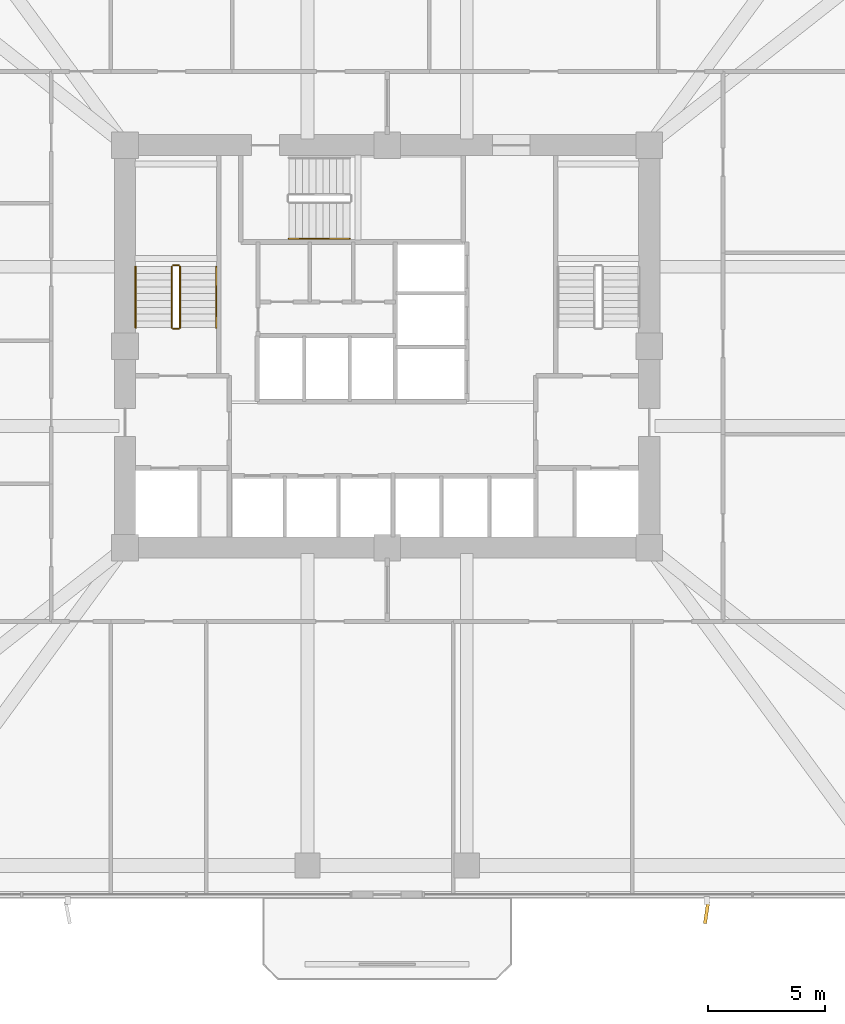
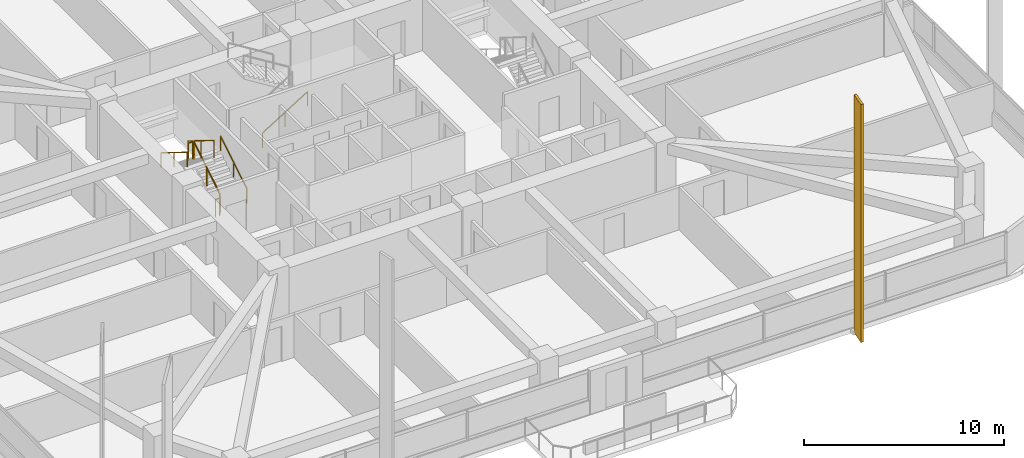
# One storey, part 14 of 17: 7 railings, 1 shading device.
"""IFC4 building model written with IfcOpenShell, lengths in metres."""

from ifc_helpers import new_model, si_unit, derived_unit, direction, frame, origin, origin_2d, place, context, subcontext, project, spatial, rectangle, extrude, material, type_object, element, save


model = new_model("IFC4")

# Units and contexts
model_context = context("Model", 3, precision=1e-05, world=origin(), true_north=direction((0.0, 1.0)))
body_context = subcontext(model_context, "Body", "Model", "MODEL_VIEW")
ifc_project = project(units=[si_unit("LENGTHUNIT", "METRE"), si_unit("AREAUNIT", "SQUARE_METRE"), si_unit("VOLUMEUNIT", "CUBIC_METRE"), si_unit("PLANEANGLEUNIT", "RADIAN"), si_unit("MASSUNIT", "GRAM", prefix="KILO"), derived_unit("THERMALTRANSMITTANCEUNIT", [(si_unit("POWERUNIT", "WATT"), 1), (si_unit("LENGTHUNIT", "METRE"), -2), (si_unit("THERMODYNAMICTEMPERATUREUNIT", "KELVIN"), -1)])], contexts=[model_context])

# Site, building, storey
site_placement = place(None, origin())
site = spatial("IfcSite", under=ifc_project, at=site_placement, CompositionType="ELEMENT")
building_placement = place(site_placement, origin())
building = spatial("IfcBuilding", under=site, at=building_placement, Name="Koralith Skygarden Medical Center", CompositionType="ELEMENT")
storey_placement = place(building_placement, frame((0.0, 0.0, 52.739990234375)))
storey = spatial("IfcBuildingStorey", under=building, at=storey_placement, Name="L13", CompositionType="ELEMENT", Elevation=52.739990234375)

# Shading device
ifc_material_1 = material(Name="Aluminium 6063-T6", Category="aluminium")
shading_device_type = type_object("IfcShadingDeviceType", Name="Limestone-Clad Solar Storm Fin 950", PredefinedType="USERDEFINED", material=ifc_material_1)
shading_device_placement = place(storey_placement, frame((50.64990234375, 1.705078125, -0.2001953125), z_axis=(0.0, 0.0, 1.0), x_axis=(-0.14855161751, -0.988904655129, 0.0)))
element("IfcShadingDevice", 1, at=shading_device_placement, inside=storey, type_object=shading_device_type, Name="L13 S Harmonic Solar Storm Fin 2", ObjectType="SOLAR FIN", PredefinedType="USERDEFINED", context=body_context, shape_type="SweptSolid", body=[
    extrude(rectangle(XDim=0.949951171875, YDim=0.139892578125, at=origin_2d()), origin(), (0.0, 0.0, 1.0), 14.550048828125),
])

# Railings
ifc_material_2 = material(Name="Steel ASTM A500 Grade C", Category="steel")
railing_type_1 = type_object("IfcRailingType", Name="Stair Flight Tubular Handrail 920", PredefinedType="HANDRAIL", material=ifc_material_2)
railing_1_placement = place(storey_placement, frame((29.699951171875, 26.699951171875, 0.179931640625)))
element("IfcRailing", 2, at=railing_1_placement, inside=storey, type_object=railing_type_1, Name="L13 ST1 stair handrail 1", PredefinedType="HANDRAIL", context=body_context, shape_type="SweptSolid", body=[
    extrude(rectangle(XDim=0.050048828125, YDim=0.050048828125, at=origin_2d()), frame((0.0, 0.001708984375, 0.89599609375), z_axis=(0.0, 0.849632798774, 0.527374731332), x_axis=(-1.0, 0.0, 0.0)), (0.0, 0.0, 1.0), 3.068115234375),
    extrude(rectangle(XDim=0.0419921875, YDim=0.0419921875, at=origin_2d()), origin(), (0.0, 0.0, 1.0), 0.867919921875),
    extrude(rectangle(XDim=0.0419921875, YDim=0.0419921875, at=origin_2d()), frame((0.0, 1.30517578125, 0.81005859375)), (0.0, 0.0, 1.0), 0.867919921875),
    extrude(rectangle(XDim=0.0419921875, YDim=0.0419921875, at=origin_2d()), frame((0.0, 2.610107421875, 1.6201171875)), (0.0, 0.0, 1.0), 0.867919921875),
])
railing_2_placement = place(storey_placement, frame((26.25, 29.31005859375, 1.97998046875)))
element("IfcRailing", 3, at=railing_2_placement, inside=storey, type_object=railing_type_1, Name="L13 ST1 stair handrail 2", PredefinedType="HANDRAIL", context=body_context, shape_type="SweptSolid", body=[
    extrude(rectangle(XDim=0.050048828125, YDim=0.050048828125, at=origin_2d()), frame((0.0, -0.001708984375, 0.89599609375), z_axis=(0.0, -0.849632798774, 0.527374731332), x_axis=(1.0, 0.0, 0.0)), (0.0, 0.0, 1.0), 3.068115234375),
    extrude(rectangle(XDim=0.0419921875, YDim=0.0419921875, at=origin_2d()), origin(), (0.0, 0.0, 1.0), 0.867919921875),
    extrude(rectangle(XDim=0.0419921875, YDim=0.0419921875, at=origin_2d()), frame((0.0, -1.30517578125, 0.81005859375)), (0.0, 0.0, 1.0), 0.867919921875),
    extrude(rectangle(XDim=0.0419921875, YDim=0.0419921875, at=origin_2d()), frame((0.0, -2.610107421875, 1.6201171875)), (0.0, 0.0, 1.0), 0.867919921875),
])
railing_3_placement = place(storey_placement, frame((32.800048828125, 30.5, 0.179931640625)))
element("IfcRailing", 4, at=railing_3_placement, inside=storey, type_object=railing_type_1, Name="L13 ST3 stair handrail 1", PredefinedType="HANDRAIL", context=body_context, shape_type="SweptSolid", body=[
    extrude(rectangle(XDim=0.050048828125, YDim=0.050048828125, at=origin_2d()), frame((0.001708984375, 0.0, 0.89599609375), z_axis=(0.849610693518, 0.0, 0.52741034258), x_axis=(0.0, 1.0, 0.0)), (0.0, 0.0, 1.0), 3.06787109375),
    extrude(rectangle(XDim=0.0419921875, YDim=0.0419921875, at=origin_2d()), origin(), (0.0, 0.0, 1.0), 0.867919921875),
    extrude(rectangle(XDim=0.0419921875, YDim=0.0419921875, at=origin_2d()), frame((1.304931640625, 0.0, 0.81005859375)), (0.0, 0.0, 1.0), 0.867919921875),
    extrude(rectangle(XDim=0.0419921875, YDim=0.0419921875, at=origin_2d()), frame((2.60986328125, 0.0, 1.6201171875)), (0.0, 0.0, 1.0), 0.867919921875),
])
railing_type_2 = type_object("IfcRailingType", Name="Stair Well Safety Guardrail 1100", PredefinedType="GUARDRAIL", material=ifc_material_2)
railing_4_placement = place(storey_placement, frame((28.14990234375, 26.699951171875, 0.179931640625)))
element("IfcRailing", 5, at=railing_4_placement, inside=storey, type_object=railing_type_2, Name="L13 ST1 stair guard 1", PredefinedType="GUARDRAIL", context=body_context, shape_type="SweptSolid", body=[
    extrude(rectangle(XDim=0.050048828125, YDim=0.050048828125, at=origin_2d()), frame((0.0, 0.001708984375, 1.076171875), z_axis=(0.0, 0.849632798774, 0.527374731332), x_axis=(-1.0, 0.0, 0.0)), (0.0, 0.0, 1.0), 3.068115234375),
    extrude(rectangle(XDim=0.0419921875, YDim=0.0419921875, at=origin_2d()), origin(), (0.0, 0.0, 1.0), 1.048095703125),
    extrude(rectangle(XDim=0.0419921875, YDim=0.0419921875, at=origin_2d()), frame((0.0, 1.30517578125, 0.81005859375)), (0.0, 0.0, 1.0), 1.048095703125),
    extrude(rectangle(XDim=0.0419921875, YDim=0.0419921875, at=origin_2d()), frame((0.0, 2.610107421875, 1.6201171875)), (0.0, 0.0, 1.0), 1.048095703125),
])
railing_5_placement = place(storey_placement, frame((28.10009765625, 29.360107421875, 1.800048828125)))
element("IfcRailing", 6, at=railing_5_placement, inside=storey, type_object=railing_type_2, Name="L13 ST1 stair guard 2", PredefinedType="GUARDRAIL", context=body_context, shape_type="SweptSolid", body=[
    extrude(rectangle(XDim=0.050048828125, YDim=0.050048828125, at=origin_2d()), frame((-0.001953125, 0.0, 1.0751953125), z_axis=(-1.0, 0.0, 0.0), x_axis=(0.0, -1.0, 0.0)), (0.0, 0.0, 1.0), 0.24609375),
    extrude(rectangle(XDim=0.0419921875, YDim=0.0419921875, at=origin_2d()), origin(), (0.0, 0.0, 1.0), 1.048095703125),
    extrude(rectangle(XDim=0.0419921875, YDim=0.0419921875, at=origin_2d()), frame((-0.25, 0.0, 0.0)), (0.0, 0.0, 1.0), 1.048095703125),
])
railing_6_placement = place(storey_placement, frame((27.800048828125, 29.31005859375, 1.97998046875)))
element("IfcRailing", 7, at=railing_6_placement, inside=storey, type_object=railing_type_2, Name="L13 ST1 stair guard 3", PredefinedType="GUARDRAIL", context=body_context, shape_type="SweptSolid", body=[
    extrude(rectangle(XDim=0.050048828125, YDim=0.050048828125, at=origin_2d()), frame((0.0, -0.001708984375, 1.076171875), z_axis=(0.0, -0.849632798774, 0.527374731332), x_axis=(1.0, 0.0, 0.0)), (0.0, 0.0, 1.0), 3.068115234375),
    extrude(rectangle(XDim=0.0419921875, YDim=0.0419921875, at=origin_2d()), origin(), (0.0, 0.0, 1.0), 1.048095703125),
    extrude(rectangle(XDim=0.0419921875, YDim=0.0419921875, at=origin_2d()), frame((0.0, -1.30517578125, 0.81005859375)), (0.0, 0.0, 1.0), 1.048095703125),
    extrude(rectangle(XDim=0.0419921875, YDim=0.0419921875, at=origin_2d()), frame((0.0, -2.610107421875, 1.6201171875)), (0.0, 0.0, 1.0), 1.048095703125),
])
railing_7_placement = place(storey_placement, frame((28.10009765625, 26.64990234375, 0.0)))
element("IfcRailing", 8, at=railing_7_placement, inside=storey, type_object=railing_type_2, Name="L13 ST1 stair guard 4", PredefinedType="GUARDRAIL", context=body_context, shape_type="SweptSolid", body=[
    extrude(rectangle(XDim=0.050048828125, YDim=0.050048828125, at=origin_2d()), frame((-0.001953125, 0.0, 1.0751953125), z_axis=(-1.0, 0.0, 0.0), x_axis=(0.0, -1.0, 0.0)), (0.0, 0.0, 1.0), 0.24609375),
    extrude(rectangle(XDim=0.0419921875, YDim=0.0419921875, at=origin_2d()), origin(), (0.0, 0.0, 1.0), 1.048095703125),
    extrude(rectangle(XDim=0.0419921875, YDim=0.0419921875, at=origin_2d()), frame((-0.25, 0.0, 0.0)), (0.0, 0.0, 1.0), 1.048095703125),
])

save(model, "model.ifc")
